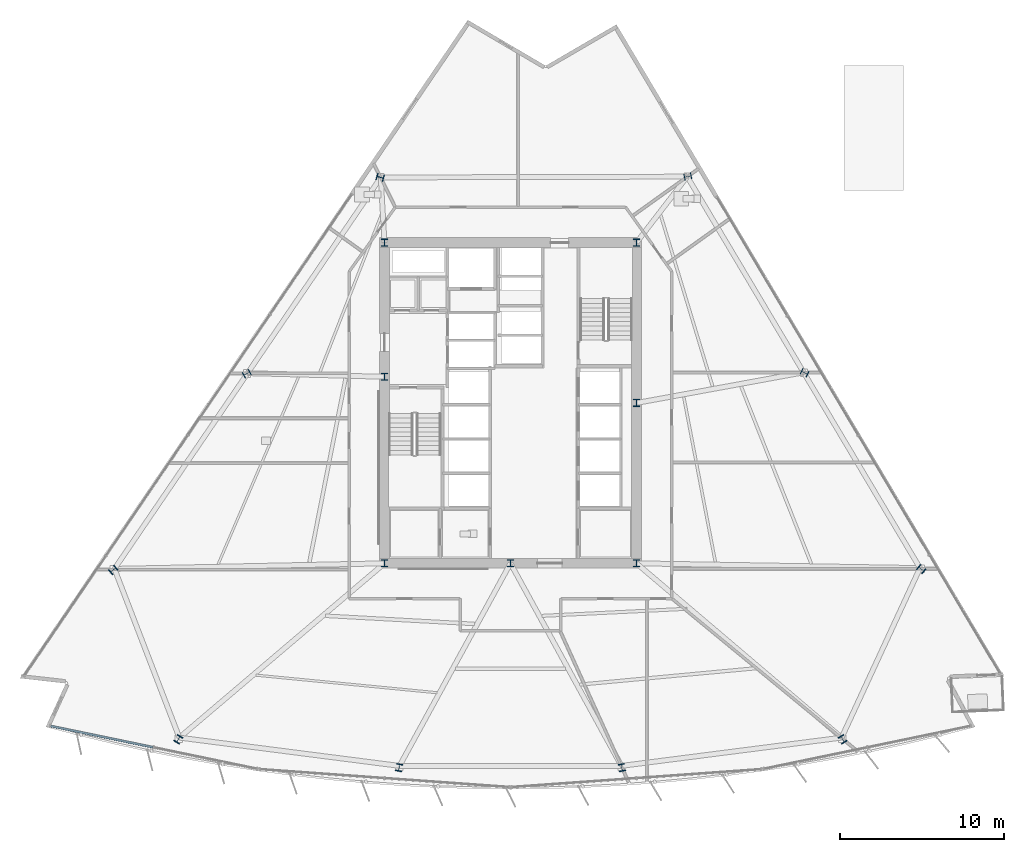
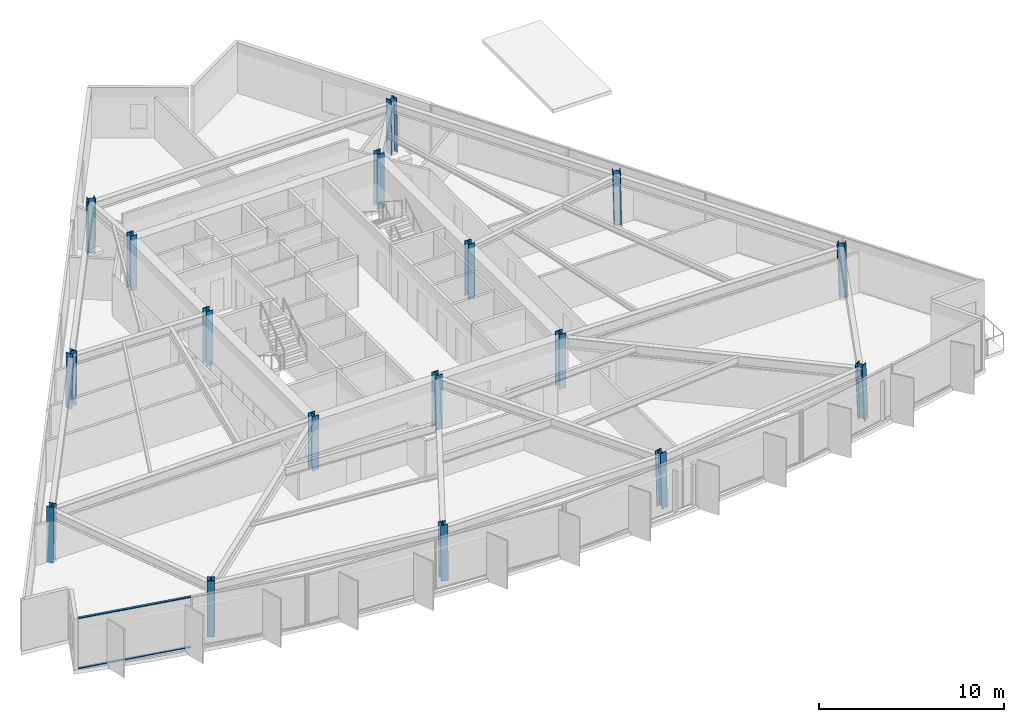
# One storey, part 1 of 16: 17 columns, 2 members, 1 element without a shape of its own.
"""IFC4 building model written with IfcOpenShell, lengths in metres."""

from ifc_helpers import new_model, si_unit, direction, frame, origin, origin_2d, place, context, subcontext, project, spatial, rectangle, i_section, extrude, material, material_profile, profile_set, type_object, element, aggregate, save


model = new_model("IFC4")

# Units and contexts
model_context = context("Model", 3, precision=1e-05, world=origin(), true_north=direction((0.0, 1.0)))
body_context = subcontext(model_context, "Body", "Model", "MODEL_VIEW")
ifc_project = project(units=[si_unit("LENGTHUNIT", "METRE"), si_unit("AREAUNIT", "SQUARE_METRE"), si_unit("VOLUMEUNIT", "CUBIC_METRE"), si_unit("PLANEANGLEUNIT", "RADIAN"), si_unit("MASSUNIT", "GRAM", prefix="KILO")], contexts=[model_context])

# Site, building, storey
site_placement = place(None, origin())
site = spatial("IfcSite", under=ifc_project, at=site_placement, CompositionType="ELEMENT")
building_placement = place(site_placement, origin())
building = spatial("IfcBuilding", under=site, at=building_placement, Name="Savorim Split Tower", CompositionType="ELEMENT")
storey_placement = place(building_placement, frame((0.0, 0.0, 30.0)))
storey = spatial("IfcBuildingStorey", under=building, at=storey_placement, Name="L07", CompositionType="ELEMENT", Elevation=30.0)

# Columns
ifc_material_1 = material(Name="Steel S460", Category="steel")
ifc_material_profile_1 = material_profile(ifc_material_1, i_section(OverallWidth=0.416015625, OverallDepth=0.446044921875, WebThickness=0.02490234375, FlangeThickness=0.0400390625, FilletRadius=0.014892578125, at=origin_2d()), Name="HD 400x509")
ifc_profile_set_1 = profile_set([ifc_material_profile_1], Name="Steel S460")
column_type = type_object("IfcColumnType", Name="COL-HD-509", PredefinedType="COLUMN", material=ifc_profile_set_1)
for number, where, z_axis, x_axis, name in (
    (1, (-7.699951171875, -9.39990234375, 0.0), (0.0, 0.0, 1.0), (1.0, 0.0, 0.0), "L07 Core Structural Column TC-C1"),
    (2, (7.699951171875, -9.39990234375, 0.0), (0.0, 0.0, 1.0), (1.0, 0.0, 0.0), "L07 Core Structural Column TC-C2"),
    (3, (7.699951171875, 10.199951171875, 0.0), (0.0, 0.0, 1.0), (1.0, 0.0, 0.0), "L07 Core Structural Column TC-C3"),
    (4, (-7.699951171875, 10.199951171875, 0.0), (0.0, 0.0, 1.0), (1.0, 0.0, 0.0), "L07 Core Structural Column TC-C4"),
    (5, (0.0, -9.39990234375, 0.0), (0.0, 0.0, 1.0), (1.0, 0.0, 0.0), "L07 Core Structural Column TC-C5"),
    (6, (7.699951171875, 0.39990234375, 0.0), (0.0, 0.0, 1.0), (1.0, 0.0, 0.0), "L07 Core Structural Column TC-C6"),
    (7, (-7.699951171875, 2.0, 0.0), (0.0, 0.0, 1.0), (1.0, 0.0, 0.0), "L07 Core Structural Column TC-C7"),
):
    element("IfcColumn", number, at=place(storey_placement, frame(where, z_axis=z_axis, x_axis=x_axis)), inside=storey, type_object=column_type, Name=name, PredefinedType="COLUMN", context=body_context, shape_type="SweptSolid", body=[
        extrude(i_section(OverallWidth=0.416015625, OverallDepth=0.446044921875, WebThickness=0.02490234375, FlangeThickness=0.0400390625, FilletRadius=0.014892578125, at=origin_2d()), origin(), (0.0, 0.0, 1.0), 3.60009765625),
    ])
column_1_placement = place(storey_placement, frame((-20.31005859375, -20.17138671875, 0.005615234375), z_axis=(0.020596339702, 0.033443561496, 0.99922836178), x_axis=(-0.851480003019, 0.52438707503, 0.0)))
element("IfcColumn", 8, at=column_1_placement, inside=storey, type_object=column_type, Name="L07 Tapered Perimeter Column PC-S1", PredefinedType="COLUMN", context=body_context, shape_type="SweptSolid", body=[
    extrude(i_section(OverallWidth=0.416015625, OverallDepth=0.446044921875, WebThickness=0.02490234375, FlangeThickness=0.0400390625, FilletRadius=0.014892578125, at=origin_2d()), origin(), (0.0, 0.0, 1.0), 3.591552734375),
])
for number, where, z_axis, x_axis, name in (
    (9, (-6.806884765625, -21.9052734375, 0.005615234375), (0.006934288159, 0.035283289748, 0.999353293441), (-0.981229659911, 0.192842823335, 0.0), "L07 Tapered Perimeter Column PC-S2"),
    (10, (6.806884765625, -21.9052734375, 0.005615234375), (-0.006934288159, 0.035283289748, 0.999353293441), (-0.981229659911, -0.192842823335, 0.0), "L07 Tapered Perimeter Column PC-S3"),
):
    element("IfcColumn", number, at=place(storey_placement, frame(where, z_axis=z_axis, x_axis=x_axis)), inside=storey, type_object=column_type, Name=name, PredefinedType="COLUMN", context=body_context, shape_type="SweptSolid", body=[
        extrude(i_section(OverallWidth=0.416015625, OverallDepth=0.446044921875, WebThickness=0.02490234375, FlangeThickness=0.0400390625, FilletRadius=0.014892578125, at=origin_2d()), origin(), (0.0, 0.0, 1.0), 3.59130859375),
    ])
column_2_placement = place(storey_placement, frame((20.31005859375, -20.17138671875, 0.005615234375), z_axis=(-0.020596339702, 0.033443561496, 0.99922836178), x_axis=(-0.851480003019, -0.52438707503, 0.0)))
element("IfcColumn", 11, at=column_2_placement, inside=storey, type_object=column_type, Name="L07 Tapered Perimeter Column PC-S4", PredefinedType="COLUMN", context=body_context, shape_type="SweptSolid", body=[
    extrude(i_section(OverallWidth=0.416015625, OverallDepth=0.446044921875, WebThickness=0.02490234375, FlangeThickness=0.0400390625, FilletRadius=0.014892578125, at=origin_2d()), origin(), (0.0, 0.0, 1.0), 3.591552734375),
])
column_3_placement = place(storey_placement, frame((25.119873046875, -9.767822265625, 0.005615234375), z_axis=(-0.026175378493, 0.021620182756, 0.999423542478), x_axis=(-0.636829692742, -0.771004502219, 0.0)))
element("IfcColumn", 12, at=column_3_placement, inside=storey, type_object=column_type, Name="L07 Tapered Perimeter Column PC-E1", PredefinedType="COLUMN", context=body_context, shape_type="SweptSolid", body=[
    extrude(i_section(OverallWidth=0.416015625, OverallDepth=0.446044921875, WebThickness=0.02490234375, FlangeThickness=0.0400390625, FilletRadius=0.014892578125, at=origin_2d()), origin(), (0.0, 0.0, 1.0), 3.5908203125),
])
column_4_placement = place(storey_placement, frame((17.981689453125, 2.23681640625, 0.005615234375), z_axis=(-0.01897531407, 0.009521662974, 0.999774612295), x_axis=(-0.44849454954, -0.893785566583, 0.0)))
element("IfcColumn", 13, at=column_4_placement, inside=storey, type_object=column_type, Name="L07 Tapered Perimeter Column PC-E2", PredefinedType="COLUMN", context=body_context, shape_type="SweptSolid", body=[
    extrude(i_section(OverallWidth=0.416015625, OverallDepth=0.446044921875, WebThickness=0.02490234375, FlangeThickness=0.0400390625, FilletRadius=0.014892578125, at=origin_2d()), origin(), (0.0, 0.0, 1.0), 3.589599609375),
])
for number, where, z_axis, x_axis, name in (
    (14, (10.843505859375, 14.2412109375, 0.005615234375), (-0.011767855299, -0.002516824544, 0.999927588966), (0.209143047003, -0.977885057607, 0.0), "L07 Tapered Perimeter Column PC-E3"),
    (15, (-7.9609375, 14.1923828125, 0.005615234375), (0.008843163607, -0.002516900411, 0.999957730942), (0.273743828055, 0.961802639112, 0.0), "L07 Tapered Perimeter Column PC-W1"),
):
    element("IfcColumn", number, at=place(storey_placement, frame(where, z_axis=z_axis, x_axis=x_axis)), inside=storey, type_object=column_type, Name=name, PredefinedType="COLUMN", context=body_context, shape_type="SweptSolid", body=[
        extrude(i_section(OverallWidth=0.416015625, OverallDepth=0.446044921875, WebThickness=0.02490234375, FlangeThickness=0.0400390625, FilletRadius=0.014892578125, at=origin_2d()), origin(), (0.0, 0.0, 1.0), 3.589111328125),
    ])
column_5_placement = place(storey_placement, frame((-16.12744140625, 2.18798828125, 0.005615234375), z_axis=(0.017003572908, 0.009522000828, 0.999810086971), x_axis=(-0.488603368932, 0.87250601595, 0.0)))
element("IfcColumn", 16, at=column_5_placement, inside=storey, type_object=column_type, Name="L07 Tapered Perimeter Column PC-W2", PredefinedType="COLUMN", context=body_context, shape_type="SweptSolid", body=[
    extrude(i_section(OverallWidth=0.416015625, OverallDepth=0.446044921875, WebThickness=0.02490234375, FlangeThickness=0.0400390625, FilletRadius=0.014892578125, at=origin_2d()), origin(), (0.0, 0.0, 1.0), 3.589599609375),
])
column_6_placement = place(storey_placement, frame((-24.2939453125, -9.816650390625, 0.005615234375), z_axis=(0.025224163578, 0.021620711639, 0.999447990843), x_axis=(-0.650791373456, 0.759256602365, 0.0)))
element("IfcColumn", 17, at=column_6_placement, inside=storey, type_object=column_type, Name="L07 Tapered Perimeter Column PC-W3", PredefinedType="COLUMN", context=body_context, shape_type="SweptSolid", body=[
    extrude(i_section(OverallWidth=0.416015625, OverallDepth=0.446044921875, WebThickness=0.02490234375, FlangeThickness=0.0400390625, FilletRadius=0.014892578125, at=origin_2d()), origin(), (0.0, 0.0, 1.0), 3.5908203125),
])

# Curtain wall, members
ifc_material_2 = material(Name="Dark Ceramic-Fritted Insulated Glass", Category="glass")
curtain_wall_type = type_object("IfcCurtainWallType", Name="CW-TWR-FRIT-A", PredefinedType="NOTDEFINED", material=ifc_material_2)
curtain_wall_placement = place(storey_placement, origin())
curtain_wall = element("IfcCurtainWall", 18, at=curtain_wall_placement, inside=storey, type_object=curtain_wall_type, Name="L07 Curtain Wall CW-L07-SF1", PredefinedType="NOTDEFINED")
ifc_material_3 = material(Name="Charcoal Anodised Aluminium", Category="aluminium")
ifc_material_profile_2 = material_profile(ifc_material_3, rectangle(XDim=0.139892578125, YDim=0.054931640625, at=origin_2d()), Name="ALU-T 140x55")
ifc_profile_set_2 = profile_set([ifc_material_profile_2], Name="Charcoal Anodised Aluminium")
member_type = type_object("IfcMemberType", Name="CWT-140x55", PredefinedType="USERDEFINED", material=ifc_profile_set_2)
member_1_placement = place(storey_placement, frame((-28.096435546875, -19.34033203125, 0.027587890625), z_axis=(0.979132403047, -0.203223368003, 0.0), x_axis=(0.203223368003, 0.979132403047, 0.0)))
member_1 = element("IfcMember", 19, at=member_1_placement, type_object=member_type, Name="CW-02 transom 1.1", ObjectType="TRANSOM", PredefinedType="USERDEFINED", context=body_context, shape_type="SweptSolid", body=[
    extrude(rectangle(XDim=0.139892578125, YDim=0.054931640625, at=origin_2d()), origin(), (0.0, 0.0, 1.0), 6.389892578125),
])
member_2_placement = place(storey_placement, frame((-28.096435546875, -19.34033203125, 3.322509765625), z_axis=(0.979132403047, -0.203223368003, 0.0), x_axis=(0.203223368003, 0.979132403047, 0.0)))
member_2 = element("IfcMember", 20, at=member_2_placement, type_object=member_type, Name="CW-02 transom 1.2", ObjectType="TRANSOM", PredefinedType="USERDEFINED", context=body_context, shape_type="SweptSolid", body=[
    extrude(rectangle(XDim=0.139892578125, YDim=0.054931640625, at=origin_2d()), origin(), (0.0, 0.0, 1.0), 6.389892578125),
])
aggregate(curtain_wall, [member_1, member_2])

save(model, "model.ifc")
